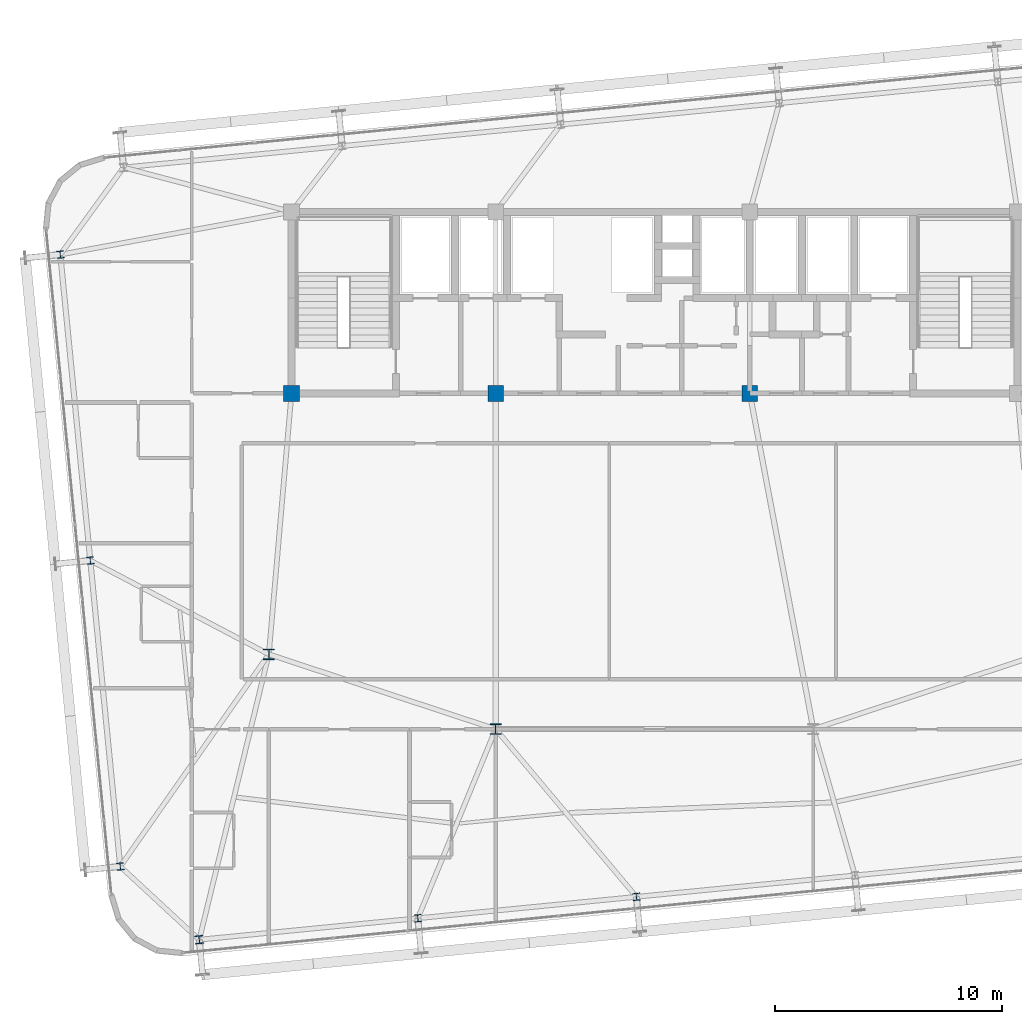
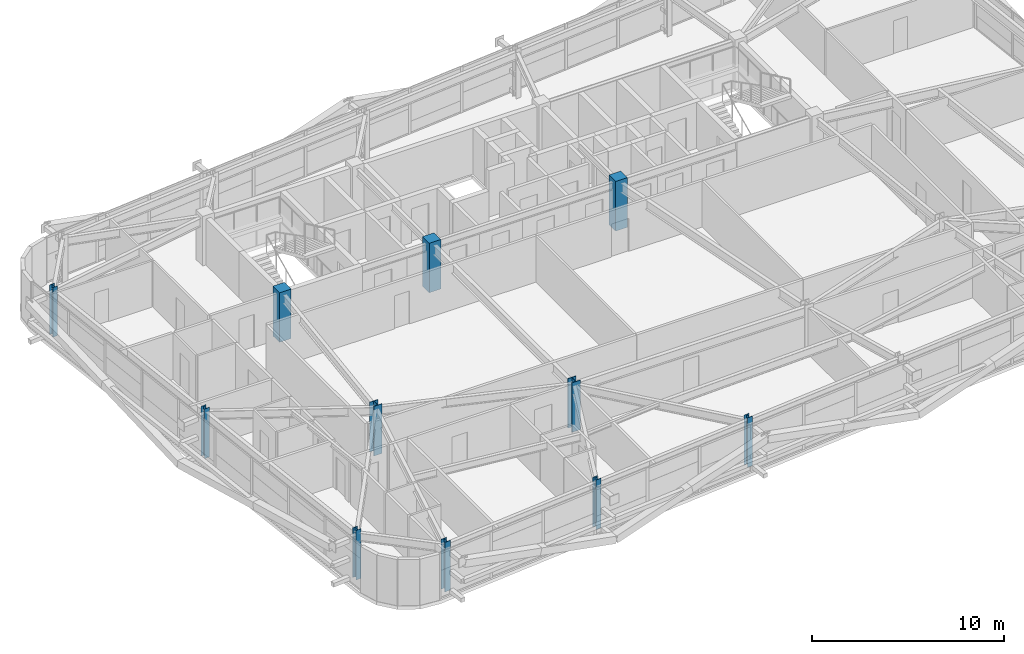
# One storey, part 1 of 53: 11 columns.
"""IFC4 building model written with IfcOpenShell, lengths in metres."""

from ifc_helpers import new_model, si_unit, direction, frame, origin, origin_2d, place, context, subcontext, project, spatial, rectangle, i_section, extrude, source, transform, mapped, material, material_profile, profile_set, type_object, element, save


model = new_model("IFC4")

# Units and contexts
model_context = context("Model", 3, precision=1e-05, world=origin(), true_north=direction((0.0, 1.0)))
body_context = subcontext(model_context, "Body", "Model", "MODEL_VIEW")
ifc_project = project(units=[si_unit("LENGTHUNIT", "METRE"), si_unit("AREAUNIT", "SQUARE_METRE"), si_unit("VOLUMEUNIT", "CUBIC_METRE"), si_unit("PLANEANGLEUNIT", "RADIAN"), si_unit("MASSUNIT", "GRAM", prefix="KILO")], contexts=[model_context])

# Site, building, storey
site_placement = place(None, origin())
site = spatial("IfcSite", under=ifc_project, at=site_placement, CompositionType="ELEMENT")
building_placement = place(site_placement, origin())
building = spatial("IfcBuilding", under=site, at=building_placement, Name="Taldren Reach Tower", CompositionType="ELEMENT")
storey_placement = place(building_placement, frame((0.0, 0.0, 84.0)))
storey = spatial("IfcBuildingStorey", under=building, at=storey_placement, Name="L25", CompositionType="ELEMENT", Elevation=84.0)

# Columns
ifc_material_1 = material(Name="Steel Gr 350 (350PLUS)", Category="steel")
ifc_material_profile_1 = material_profile(ifc_material_1, i_section(OverallWidth=0.5, OverallDepth=0.464111328125, WebThickness=0.02197265625, FlangeThickness=0.033935546875, at=origin_2d()), Name="500WC340")
ifc_profile_set_1 = profile_set([ifc_material_profile_1], Name="Steel Gr 350 (350PLUS)")
column_type_1 = type_object("IfcColumnType", Name="COL-WC500B", PredefinedType="COLUMN", material=ifc_profile_set_1)
shared_shape_1 = source(origin(), body_context, "Body", "SweptSolid", [
    extrude(i_section(OverallWidth=0.5, OverallDepth=0.464111328125, WebThickness=0.02197265625, FlangeThickness=0.033935546875, at=origin_2d()), origin(), (0.0, 0.0, 1.0), 3.14990234375),
])
for number, where, z_axis, x_axis, name in (
    (1, (28.0, 9.199951171875, 0.0), (0.0, 0.0, 1.0), (1.0, 0.0, 0.0), "Mega column MC-PJW L25"),
    (2, (18.0, 12.5, 0.0), (0.0, 0.0, 1.0), (1.0, 0.0, 0.0), "Mega column MC-SW L25"),
):
    element("IfcColumn", number, at=place(storey_placement, frame(where, z_axis=z_axis, x_axis=x_axis)), inside=storey, type_object=column_type_1, Name=name, PredefinedType="COLUMN", context=body_context, shape_type="MappedRepresentation", body=[
        mapped(shared_shape_1, transform((0.0, 0.0, 0.0), scale=1.0)),
    ])
ifc_material_2 = material(Name="Concrete S65 (65 MPa)", Category="concrete")
ifc_material_profile_2 = material_profile(ifc_material_2, rectangle(XDim=0.699951171875, YDim=0.699951171875, at=origin_2d()), Name="RC-700x700")
ifc_profile_set_2 = profile_set([ifc_material_profile_2], Name="Concrete S65 (65 MPa)")
column_type_2 = type_object("IfcColumnType", Name="COL-RC700", PredefinedType="COLUMN", material=ifc_profile_set_2)
shared_shape_2 = source(origin(), body_context, "Body", "SweptSolid", [
    extrude(rectangle(XDim=0.699951171875, YDim=0.699951171875, at=origin_2d()), origin(), (0.0, 0.0, 1.0), 3.14990234375),
])
for number, where, z_axis, x_axis, name in (
    (3, (19.0, 24.0, 0.0), (0.0, 0.0, 1.0), (1.0, 0.0, 0.0), "Mega column MC-C1 L25"),
    (4, (28.0, 24.0, 0.0), (0.0, 0.0, 1.0), (1.0, 0.0, 0.0), "Mega column MC-C2 L25"),
    (5, (39.199951171875, 24.0, 0.0), (0.0, 0.0, 1.0), (1.0, 0.0, 0.0), "Mega column MC-C3 L25"),
):
    element("IfcColumn", number, at=place(storey_placement, frame(where, z_axis=z_axis, x_axis=x_axis)), inside=storey, type_object=column_type_2, Name=name, PredefinedType="COLUMN", context=body_context, shape_type="MappedRepresentation", body=[
        mapped(shared_shape_2, transform((0.0, 0.0, 0.0), scale=1.0)),
    ])
ifc_material_profile_3 = material_profile(ifc_material_1, i_section(OverallWidth=0.35009765625, OverallDepth=0.35595703125, WebThickness=0.01806640625, FlangeThickness=0.028076171875, at=origin_2d()), Name="350WC197")
ifc_profile_set_3 = profile_set([ifc_material_profile_3], Name="Steel Gr 350 (350PLUS)")
column_type_3 = type_object("IfcColumnType", Name="COL-WC350", PredefinedType="COLUMN", material=ifc_profile_set_3)
shared_shape_3 = source(origin(), body_context, "Body", "SweptSolid", [
    extrude(i_section(OverallWidth=0.35009765625, OverallDepth=0.35595703125, WebThickness=0.01806640625, FlangeThickness=0.028076171875, at=origin_2d()), origin(), (0.0, 0.0, 1.0), 3.14990234375),
])
column_placement = place(storey_placement, frame((14.93408203125, -0.079833984375, 0.0), z_axis=(0.0, 0.0, 1.0), x_axis=(0.995227399982, 0.097582899759, 0.0)))
element("IfcColumn", 6, at=column_placement, inside=storey, type_object=column_type_3, Name="Block B2 perimeter column S1 L25", PredefinedType="COLUMN", context=body_context, shape_type="MappedRepresentation", body=[
    mapped(shared_shape_3, transform((0.0, 0.0, 0.0), scale=1.0)),
])
ifc_material_profile_4 = material_profile(ifc_material_1, i_section(OverallWidth=0.306884765625, OverallDepth=0.31494140625, WebThickness=0.011962890625, FlangeThickness=0.018798828125, at=origin_2d()), Name="310UC118")
ifc_profile_set_4 = profile_set([ifc_material_profile_4], Name="Steel Gr 350 (350PLUS)")
column_type_4 = type_object("IfcColumnType", Name="COL-UC310B", PredefinedType="COLUMN", material=ifc_profile_set_4)
shared_shape_4 = source(origin(), body_context, "Body", "SweptSolid", [
    extrude(i_section(OverallWidth=0.306884765625, OverallDepth=0.31494140625, WebThickness=0.011962890625, FlangeThickness=0.018798828125, at=origin_2d()), origin(), (0.0, 0.0, 1.0), 3.14990234375),
])
for number, where, z_axis, x_axis, name in (
    (7, (24.56787109375, 0.86474609375, 0.0), (0.0, 0.0, 1.0), (0.995227399982, 0.097582899759, 0.0), "Block B2 perimeter column S2 L25"),
    (8, (34.20166015625, 1.809326171875, 0.0), (0.0, 0.0, 1.0), (0.995227399982, 0.097582899759, 0.0), "Block B2 perimeter column S3 L25"),
    (9, (11.452880859375, 3.145751953125, 0.0), (0.0, 0.0, 1.0), (0.995227399982, 0.097582899759, 0.0), "Block B2 perimeter column W1 L25"),
    (10, (10.130615234375, 16.631103515625, 0.0), (0.0, 0.0, 1.0), (0.995227399982, 0.097582899759, 0.0), "Block B2 perimeter column W2 L25"),
    (11, (8.808349609375, 30.116455078125, 0.0), (0.0, 0.0, 1.0), (0.995227399982, 0.097582899759, 0.0), "Block B2 perimeter column W3 L25"),
):
    element("IfcColumn", number, at=place(storey_placement, frame(where, z_axis=z_axis, x_axis=x_axis)), inside=storey, type_object=column_type_4, Name=name, PredefinedType="COLUMN", context=body_context, shape_type="MappedRepresentation", body=[
        mapped(shared_shape_4, transform((0.0, 0.0, 0.0), scale=1.0)),
    ])

save(model, "model.ifc")
